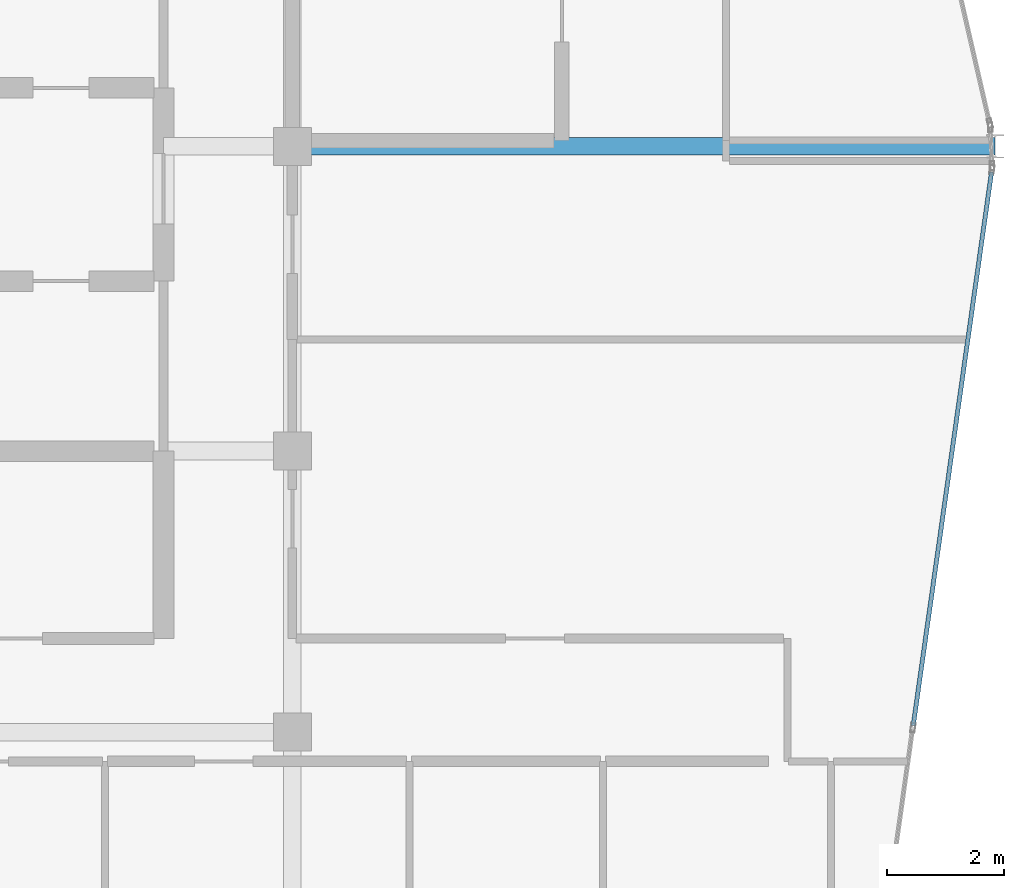
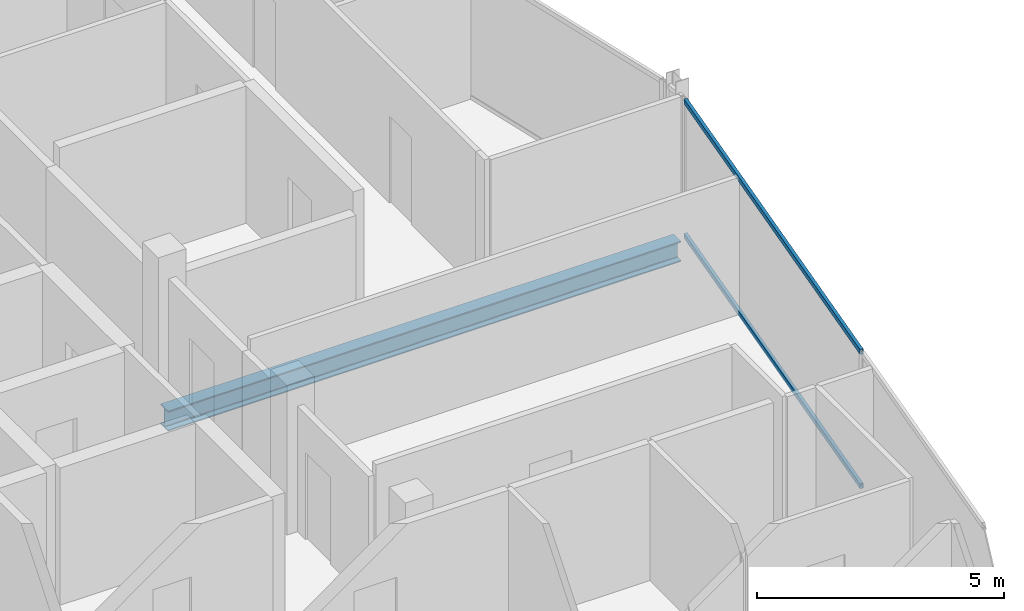
# One storey, part 13 of 27: 2 members, 1 beam, 1 element without a shape of its own.
"""IFC4 building model written with IfcOpenShell, lengths in metres."""

from ifc_helpers import new_model, si_unit, direction, frame, origin, origin_2d, place, context, subcontext, project, spatial, hollow_rectangle, i_section, extrude, material, layer, layer_set, material_profile, profile_set, type_object, element, aggregate, save


model = new_model("IFC4")

# Units and contexts
model_context = context("Model", 3, precision=1e-05, world=origin(), true_north=direction((0.0, 1.0)))
body_context = subcontext(model_context, "Body", "Model", "MODEL_VIEW")
ifc_project = project(units=[si_unit("LENGTHUNIT", "METRE"), si_unit("AREAUNIT", "SQUARE_METRE"), si_unit("VOLUMEUNIT", "CUBIC_METRE"), si_unit("PLANEANGLEUNIT", "RADIAN"), si_unit("MASSUNIT", "GRAM", prefix="KILO")], contexts=[model_context])

# Site, building, storey
site_placement = place(None, origin())
site = spatial("IfcSite", under=ifc_project, at=site_placement, CompositionType="ELEMENT")
building_placement = place(site_placement, origin())
building = spatial("IfcBuilding", under=site, at=building_placement, Name="Keshet Zoharim Tower", CompositionType="ELEMENT")
storey_placement = place(building_placement, frame((0.0, 0.0, 291.699951171875)))
storey = spatial("IfcBuildingStorey", under=building, at=storey_placement, Name="L73", CompositionType="ELEMENT", Elevation=291.699951171875)

# Beam
ifc_material_1 = material(Name="Steel S355", Category="steel")
ifc_material_profile_1 = material_profile(ifc_material_1, i_section(OverallWidth=0.300048828125, OverallDepth=0.5, WebThickness=0.014404296875, FlangeThickness=0.028076171875, FilletRadius=0.027099609375, at=origin_2d()), Name="HEB500")
ifc_profile_set_1 = profile_set([ifc_material_profile_1], Name="Steel S355")
beam_type = type_object("IfcBeamType", Name="BM-MED-HB500", PredefinedType="BEAM", material=ifc_profile_set_1)
beam_placement = place(storey_placement, frame((33.0, 27.89990234375, -0.56005859375), z_axis=(1.0, 0.0, 0.0), x_axis=(0.0, 1.0, 0.0)))
element("IfcBeam", 1, at=beam_placement, inside=storey, type_object=beam_type, Name="L73 Primary Girder X-007", PredefinedType="BEAM", context=body_context, shape_type="SweptSolid", body=[
    extrude(i_section(OverallWidth=0.300048828125, OverallDepth=0.5, WebThickness=0.014404296875, FlangeThickness=0.028076171875, FilletRadius=0.027099609375, at=origin_2d()), origin(), (0.0, 0.0, 1.0), 12.0),
])

# Curtain wall, members
ifc_material_2 = material(Name="Aluminium 6063-T6", Category="aluminium")
ifc_layer = layer(ifc_material_2, 0.260009765625)
ifc_layer_set = layer_set([ifc_layer], Name="Aluminium 6063-T6")
curtain_wall_type = type_object("IfcCurtainWallType", Name="CW-SYS-06", PredefinedType="NOTDEFINED", material=ifc_layer_set)
curtain_wall_placement = place(storey_placement, origin())
curtain_wall = element("IfcCurtainWall", 2, at=curtain_wall_placement, inside=storey, type_object=curtain_wall_type, Name="L73 Unitised Curtain Wall 11", PredefinedType="NOTDEFINED")
ifc_material_profile_2 = material_profile(ifc_material_2, hollow_rectangle(XDim=0.074951171875, YDim=0.1201171875, WallThickness=0.00390625, at=origin_2d()), Name="TRN-75x120")
ifc_profile_set_2 = profile_set([ifc_material_profile_2], Name="Aluminium 6063-T6")
member_type = type_object("IfcMemberType", Name="CWT-T12", PredefinedType="USERDEFINED", material=ifc_profile_set_2)
member_1_placement = place(storey_placement, frame((44.938232421875, 27.462646484375, 0.03515625), z_axis=(-0.140150169695, -0.990130259074, 0.0), x_axis=(0.990130259074, -0.140150169695, 0.0)))
member_1 = element("IfcMember", 3, at=member_1_placement, type_object=member_type, Name="CW-06 transom 1.1", ObjectType="TRANSOM", PredefinedType="USERDEFINED", context=body_context, shape_type="SweptSolid", body=[
    extrude(hollow_rectangle(XDim=0.074951171875, YDim=0.1201171875, WallThickness=0.00390625, at=origin_2d()), origin(), (0.0, 0.0, 1.0), 9.546142578125),
])
member_2_placement = place(storey_placement, frame((44.938232421875, 27.462646484375, 3.35498046875), z_axis=(-0.140150169695, -0.990130259074, 0.0), x_axis=(0.990130259074, -0.140150169695, 0.0)))
member_2 = element("IfcMember", 4, at=member_2_placement, type_object=member_type, Name="CW-06 transom 1.2", ObjectType="TRANSOM", PredefinedType="USERDEFINED", context=body_context, shape_type="SweptSolid", body=[
    extrude(hollow_rectangle(XDim=0.074951171875, YDim=0.1201171875, WallThickness=0.00390625, at=origin_2d()), origin(), (0.0, 0.0, 1.0), 9.546142578125),
])
aggregate(curtain_wall, [member_1, member_2])

save(model, "model.ifc")
